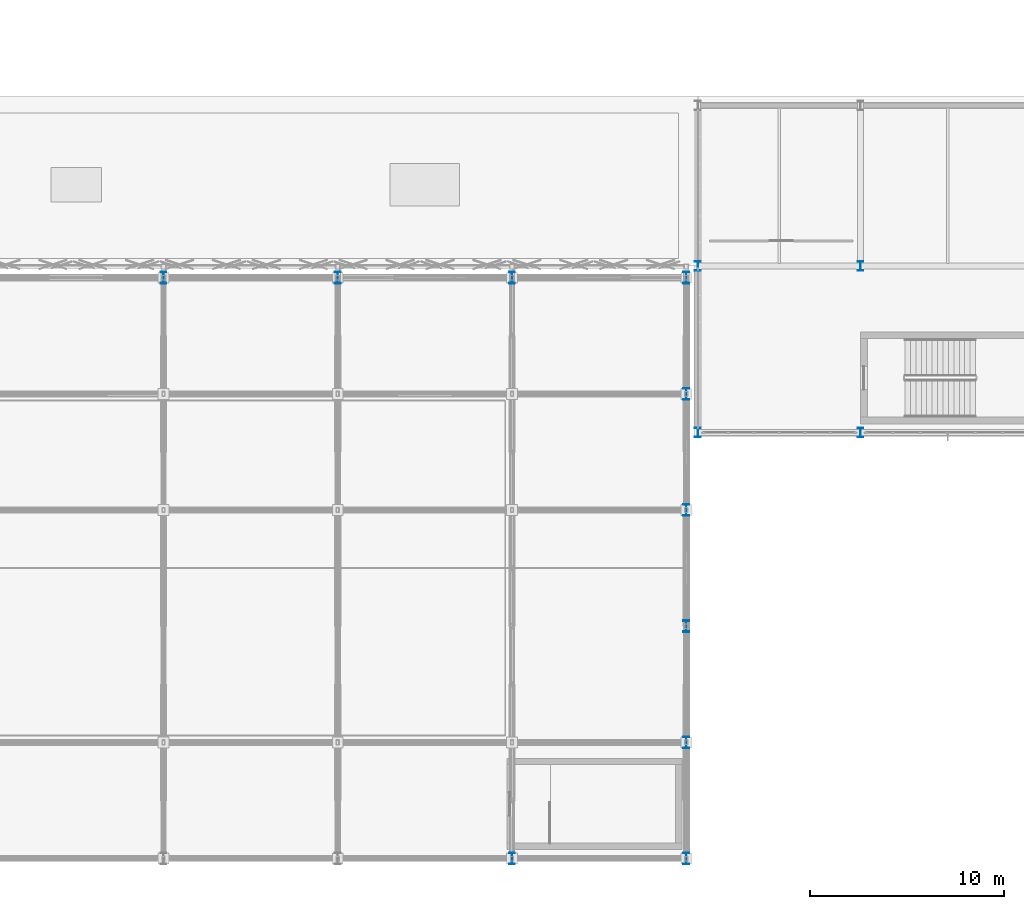
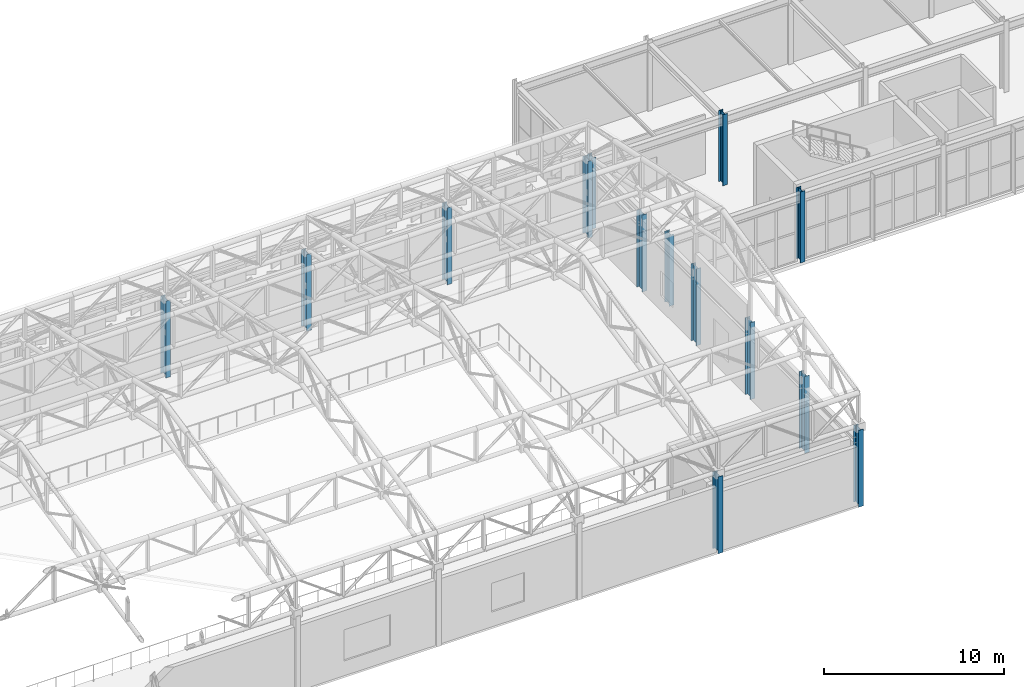
# One storey, part 2 of 112: 14 columns.
"""IFC4 building model written with IfcOpenShell, lengths in metres."""

from ifc_helpers import new_model, si_unit, direction, frame, origin, origin_2d, place, context, subcontext, project, spatial, i_section, extrude, material, material_profile, profile_set, type_object, element, save


model = new_model("IFC4")

# Units and contexts
model_context = context("Model", 3, precision=1e-05, world=origin(), true_north=direction((0.0, 1.0)))
body_context = subcontext(model_context, "Body", "Model", "MODEL_VIEW")
ifc_project = project(units=[si_unit("LENGTHUNIT", "METRE"), si_unit("AREAUNIT", "SQUARE_METRE"), si_unit("VOLUMEUNIT", "CUBIC_METRE"), si_unit("PLANEANGLEUNIT", "RADIAN"), si_unit("MASSUNIT", "GRAM", prefix="KILO")], contexts=[model_context])

# Site, building, storey
site_placement = place(None, origin())
site = spatial("IfcSite", under=ifc_project, at=site_placement, CompositionType="ELEMENT")
building_placement = place(site_placement, origin())
building = spatial("IfcBuilding", under=site, at=building_placement, Name="Kaldris Quays Convention Centre", CompositionType="ELEMENT")
storey_placement = place(building_placement, frame((0.0, 0.0, 16.800048828125)))
storey = spatial("IfcBuildingStorey", under=building, at=storey_placement, Name="L03", CompositionType="ELEMENT", Elevation=16.800048828125)

# Columns
ifc_material = material(Name="Steel S355J2", Category="steel")
ifc_material_profile_1 = material_profile(ifc_material, i_section(OverallWidth=0.300048828125, OverallDepth=0.60009765625, WebThickness=0.015380859375, FlangeThickness=0.030029296875, FilletRadius=0.027099609375, at=origin_2d()), Name="HEB 600")
ifc_profile_set_1 = profile_set([ifc_material_profile_1], Name="Steel S355J2")
column_type_1 = type_object("IfcColumnType", Name="STRUCTURAL COLUMN CL06", PredefinedType="COLUMN", material=ifc_profile_set_1)
for number, where, z_axis, x_axis, name in (
    (1, (56.0, 46.0, 0.0), (0.0, 0.0, 1.0), (1.0, 0.0, 0.0), "L03 V3 Column CL06 (56.00, 46.00)"),
    (2, (65.0, 46.0, 0.0), (0.0, 0.0, 1.0), (1.0, 0.0, 0.0), "L03 V3 Column CL06 (65.00, 46.00)"),
    (3, (74.0, 16.0, 0.0), (0.0, 0.0, 1.0), (1.0, 0.0, 0.0), "L03 V3 Column CL06 (74.00, 16.00)"),
    (4, (74.0, 46.0, 0.0), (0.0, 0.0, 1.0), (1.0, 0.0, 0.0), "L03 V3 Column CL06 (74.00, 46.00)"),
    (5, (83.0, 16.0, 0.0), (0.0, 0.0, 1.0), (1.0, 0.0, 0.0), "L03 V3 Column CL06 (83.00, 16.00)"),
    (6, (83.0, 22.0, 0.0), (0.0, 0.0, 1.0), (1.0, 0.0, 0.0), "L03 V3 Column CL06 (83.00, 22.00)"),
    (7, (83.0, 28.0, 0.0), (0.0, 0.0, 1.0), (1.0, 0.0, 0.0), "L03 V3 Column CL06 (83.00, 28.00)"),
    (8, (83.0, 34.0, 0.0), (0.0, 0.0, 1.0), (1.0, 0.0, 0.0), "L03 V3 Column CL06 (83.00, 34.00)"),
    (9, (83.0, 40.0, 0.0), (0.0, 0.0, 1.0), (1.0, 0.0, 0.0), "L03 V3 Column CL06 (83.00, 40.00)"),
    (10, (83.0, 46.0, 0.0), (0.0, 0.0, 1.0), (1.0, 0.0, 0.0), "L03 V3 Column CL06 (83.00, 46.00)"),
):
    element("IfcColumn", number, at=place(storey_placement, frame(where, z_axis=z_axis, x_axis=x_axis)), inside=storey, type_object=column_type_1, Name=name, PredefinedType="COLUMN", context=body_context, shape_type="SweptSolid", body=[
        extrude(i_section(OverallWidth=0.300048828125, OverallDepth=0.60009765625, WebThickness=0.015380859375, FlangeThickness=0.030029296875, FilletRadius=0.027099609375, at=origin_2d()), origin(), (0.0, 0.0, 1.0), 5.199951171875),
    ])
ifc_material_profile_2 = material_profile(ifc_material, i_section(OverallWidth=0.300048828125, OverallDepth=0.5, WebThickness=0.014404296875, FlangeThickness=0.028076171875, FilletRadius=0.027099609375, at=origin_2d()), Name="HEB 500")
ifc_profile_set_2 = profile_set([ifc_material_profile_2], Name="Steel S355J2")
column_type_2 = type_object("IfcColumnType", Name="STRUCTURAL COLUMN CL07", PredefinedType="COLUMN", material=ifc_profile_set_2)
for number, where, z_axis, x_axis, name in (
    (11, (83.60009765625, 38.0, 0.0), (0.0, 0.0, 1.0), (1.0, 0.0, 0.0), "L03 V4 Column CL07 (83.60, 38.00)"),
    (12, (83.60009765625, 46.60009765625, 0.0), (0.0, 0.0, 1.0), (1.0, 0.0, 0.0), "L03 V4 Column CL07 (83.60, 46.60)"),
    (13, (92.0, 38.0, 0.0), (0.0, 0.0, 1.0), (1.0, 0.0, 0.0), "L03 V4 Column CL07 (92.00, 38.00)"),
    (14, (92.0, 46.60009765625, 0.0), (0.0, 0.0, 1.0), (1.0, 0.0, 0.0), "L03 V4 Column CL07 (92.00, 46.60)"),
):
    element("IfcColumn", number, at=place(storey_placement, frame(where, z_axis=z_axis, x_axis=x_axis)), inside=storey, type_object=column_type_2, Name=name, PredefinedType="COLUMN", context=body_context, shape_type="SweptSolid", body=[
        extrude(i_section(OverallWidth=0.300048828125, OverallDepth=0.5, WebThickness=0.014404296875, FlangeThickness=0.028076171875, FilletRadius=0.027099609375, at=origin_2d()), origin(), (0.0, 0.0, 1.0), 4.800048828125),
    ])

save(model, "model.ifc")
